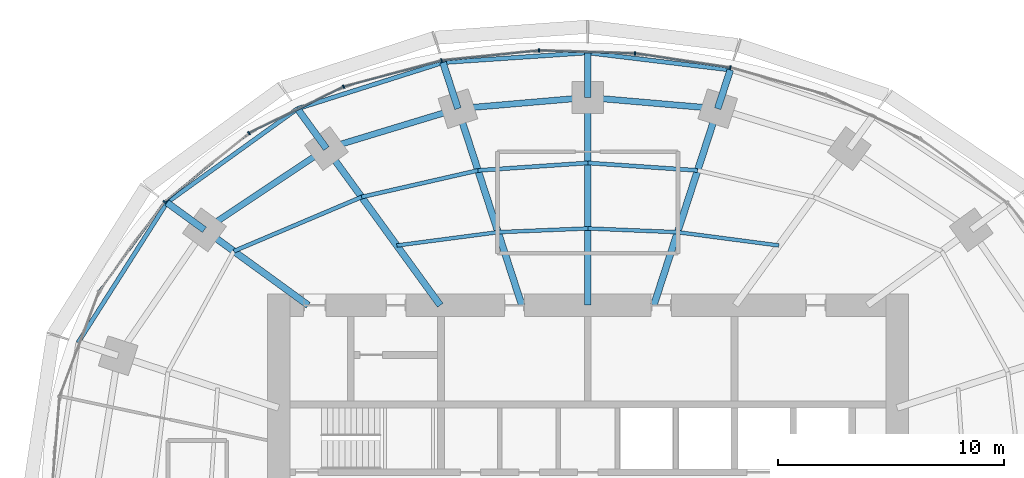
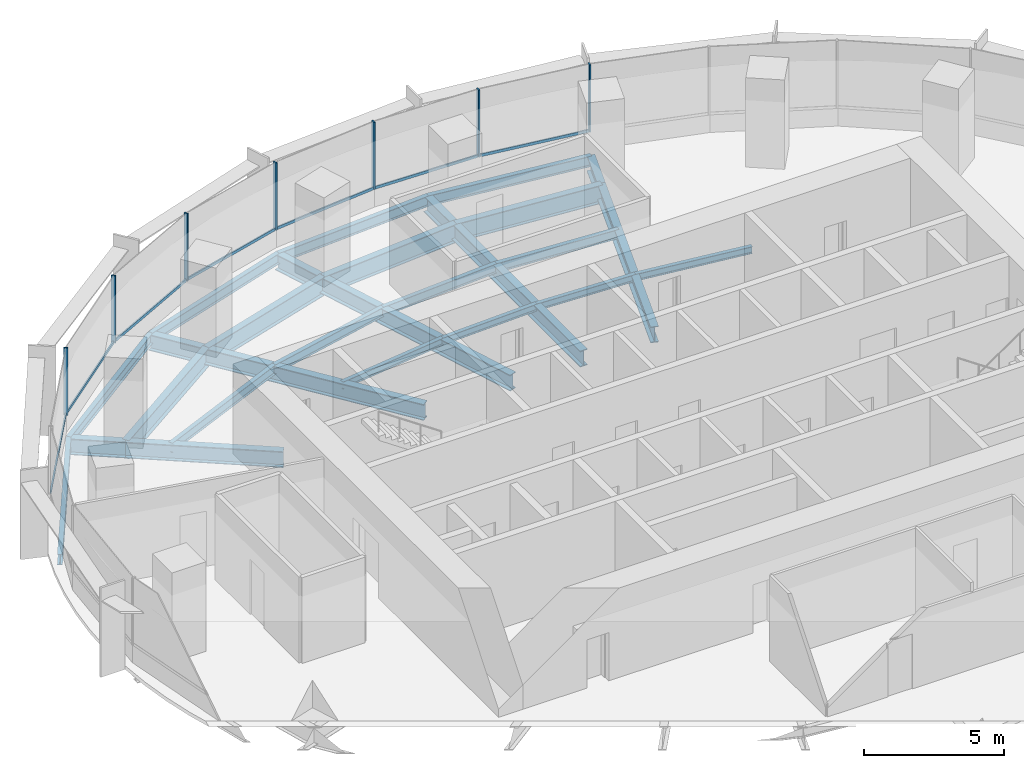
# One storey, part 7 of 14: 27 beams, 14 members, 2 elements without a shape of their own.
"""IFC4 building model written with IfcOpenShell, lengths in metres."""

from ifc_helpers import new_model, si_unit, direction, frame, origin, origin_2d, place, context, subcontext, project, spatial, rectangle, i_section, extrude, material, material_profile, profile_set, type_object, element, aggregate, save


model = new_model("IFC4")

# Units and contexts
model_context = context("Model", 3, precision=1e-05, world=origin(), true_north=direction((0.0, 1.0)))
body_context = subcontext(model_context, "Body", "Model", "MODEL_VIEW")
ifc_project = project(units=[si_unit("LENGTHUNIT", "METRE"), si_unit("AREAUNIT", "SQUARE_METRE"), si_unit("VOLUMEUNIT", "CUBIC_METRE"), si_unit("PLANEANGLEUNIT", "RADIAN"), si_unit("MASSUNIT", "GRAM", prefix="KILO")], contexts=[model_context])

# Site, building, storey
site_placement = place(None, origin())
site = spatial("IfcSite", under=ifc_project, at=site_placement, CompositionType="ELEMENT")
building_placement = place(site_placement, origin())
building = spatial("IfcBuilding", under=site, at=building_placement, Name="Marramba Exchange Tower", CompositionType="ELEMENT")
storey_placement = place(building_placement, frame((0.0, 0.0, 218.89990234375)))
storey = spatial("IfcBuildingStorey", under=building, at=storey_placement, Name="L53", CompositionType="ELEMENT", Elevation=218.89990234375)

# Beams
ifc_material_1 = material(Name="Steel AS/NZS 3679.2 grade 300", Category="steel")
ifc_material_profile_1 = material_profile(ifc_material_1, i_section(OverallWidth=0.300048828125, OverallDepth=0.699951171875, WebThickness=0.010009765625, FlangeThickness=0.031982421875, at=origin_2d()), Name="700WB173")
ifc_profile_set_1 = profile_set([ifc_material_profile_1], Name="Steel AS/NZS 3679.2 grade 300")
beam_type_1 = type_object("IfcBeamType", Name="Cantilever girder 700WB173", PredefinedType="BEAM", material=ifc_profile_set_1)
beam_1_placement = place(storey_placement, frame((5.75390625, 17.70849609375, -0.510009765625), z_axis=(0.308960771946, 0.951074782232, 0.0), x_axis=(-0.951074782232, 0.308960771946, 0.0)))
element("IfcBeam", 1, at=beam_1_placement, inside=storey, type_object=beam_type_1, Name="Cantilever girder L53 TC05", PredefinedType="BEAM", context=body_context, shape_type="SweptSolid", body=[
    extrude(i_section(OverallWidth=0.300048828125, OverallDepth=0.699951171875, WebThickness=0.010009765625, FlangeThickness=0.031982421875, at=origin_2d()), origin(), (0.0, 0.0, 1.0), 1.806396484375),
])
beam_2_placement = place(storey_placement, frame((0.0, 18.2041015625, -0.510009765625), z_axis=(0.0, 1.0, 0.0), x_axis=(-1.0, 0.0, 0.0)))
element("IfcBeam", 2, at=beam_2_placement, inside=storey, type_object=beam_type_1, Name="Cantilever girder L53 TC06", PredefinedType="BEAM", context=body_context, shape_type="SweptSolid", body=[
    extrude(i_section(OverallWidth=0.300048828125, OverallDepth=0.699951171875, WebThickness=0.010009765625, FlangeThickness=0.031982421875, at=origin_2d()), origin(), (0.0, 0.0, 1.0), 1.982177734375),
])
beam_3_placement = place(storey_placement, frame((-5.75390625, 17.70849609375, -0.510009765625), z_axis=(-0.308998798068, 0.951062428441, 0.0), x_axis=(-0.951062428441, -0.308998798068, 0.0)))
element("IfcBeam", 3, at=beam_3_placement, inside=storey, type_object=beam_type_1, Name="Cantilever girder L53 TC07", PredefinedType="BEAM", context=body_context, shape_type="SweptSolid", body=[
    extrude(i_section(OverallWidth=0.300048828125, OverallDepth=0.699951171875, WebThickness=0.010009765625, FlangeThickness=0.031982421875, at=origin_2d()), origin(), (0.0, 0.0, 1.0), 2.150634765625),
])
beam_4_placement = place(storey_placement, frame((-11.581298828125, 15.9404296875, -0.510009765625), z_axis=(-0.587832433352, 0.808982713226, 0.0), x_axis=(-0.808982713226, -0.587832433352, 0.0)))
element("IfcBeam", 4, at=beam_4_placement, inside=storey, type_object=beam_type_1, Name="Cantilever girder L53 TC08", PredefinedType="BEAM", context=body_context, shape_type="SweptSolid", body=[
    extrude(i_section(OverallWidth=0.300048828125, OverallDepth=0.699951171875, WebThickness=0.010009765625, FlangeThickness=0.031982421875, at=origin_2d()), origin(), (0.0, 0.0, 1.0), 2.1826171875),
])
beam_5_placement = place(storey_placement, frame((-16.98583984375, 12.3408203125, -0.510009765625), z_axis=(-0.808962446125, 0.587860324192, 0.0), x_axis=(-0.587860324192, -0.808962446125, 0.0)))
element("IfcBeam", 5, at=beam_5_placement, inside=storey, type_object=beam_type_1, Name="Cantilever girder L53 TC09", PredefinedType="BEAM", context=body_context, shape_type="SweptSolid", body=[
    extrude(i_section(OverallWidth=0.300048828125, OverallDepth=0.699951171875, WebThickness=0.010009765625, FlangeThickness=0.031982421875, at=origin_2d()), origin(), (0.0, 0.0, 1.0), 2.051513671875),
])
ifc_material_2 = material(Name="Steel AS/NZS 3679.1 grade 300", Category="steel")
ifc_material_profile_2 = material_profile(ifc_material_2, i_section(OverallWidth=0.166015625, OverallDepth=0.306884765625, WebThickness=0.006591796875, FlangeThickness=0.01171875, FilletRadius=0.011474609375, at=origin_2d()), Name="310UB46.2")
ifc_profile_set_2 = profile_set([ifc_material_profile_2], Name="Steel AS/NZS 3679.1 grade 300")
beam_type_2 = type_object("IfcBeamType", Name="Floor joist 310UB46.2", PredefinedType="JOIST", material=ifc_profile_set_2)
beam_6_placement = place(storey_placement, frame((8.4619140625, 11.646728515625, -0.3134765625), z_axis=(-0.991480538255, 0.130254912618, 0.0), x_axis=(-0.130254912618, -0.991480538255, 0.0)))
element("IfcBeam", 6, at=beam_6_placement, inside=storey, type_object=beam_type_2, Name="Joist L53 bay 04 row 1", PredefinedType="JOIST", context=body_context, shape_type="SweptSolid", body=[
    extrude(i_section(OverallWidth=0.166015625, OverallDepth=0.306884765625, WebThickness=0.006591796875, FlangeThickness=0.01171875, FilletRadius=0.011474609375, at=origin_2d()), origin(), (0.0, 0.0, 1.0), 4.524658203125),
])
for number, where, z_axis, x_axis, name in (
    (7, (3.975830078125, 12.236083984375, -0.3134765625), (-0.999137002892, 0.041536122257, 0.0), (-0.041536122257, -0.999137002892, 0.0), "Joist L53 bay 05 row 1"),
    (8, (0.0, 12.4013671875, -0.3134765625), (-0.999137002892, -0.041536122257, 0.0), (0.041536122257, -0.999137002892, 0.0), "Joist L53 bay 06 row 1"),
):
    element("IfcBeam", number, at=place(storey_placement, frame(where, z_axis=z_axis, x_axis=x_axis)), inside=storey, type_object=beam_type_2, Name=name, PredefinedType="JOIST", context=body_context, shape_type="SweptSolid", body=[
        extrude(i_section(OverallWidth=0.166015625, OverallDepth=0.306884765625, WebThickness=0.006591796875, FlangeThickness=0.01171875, FilletRadius=0.011474609375, at=origin_2d()), origin(), (0.0, 0.0, 1.0), 3.979248046875),
    ])
beam_7_placement = place(storey_placement, frame((-3.975830078125, 12.236083984375, -0.3134765625), z_axis=(-0.991480538255, -0.130254912618, 0.0), x_axis=(0.130254912618, -0.991480538255, 0.0)))
element("IfcBeam", 9, at=beam_7_placement, inside=storey, type_object=beam_type_2, Name="Joist L53 bay 07 row 1", PredefinedType="JOIST", context=body_context, shape_type="SweptSolid", body=[
    extrude(i_section(OverallWidth=0.166015625, OverallDepth=0.306884765625, WebThickness=0.006591796875, FlangeThickness=0.01171875, FilletRadius=0.011474609375, at=origin_2d()), origin(), (0.0, 0.0, 1.0), 4.524658203125),
])
ifc_material_profile_3 = material_profile(ifc_material_2, i_section(OverallWidth=0.177978515625, OverallDepth=0.406005859375, WebThickness=0.0078125, FlangeThickness=0.0126953125, FilletRadius=0.011474609375, at=origin_2d()), Name="410UB59.7")
ifc_profile_set_3 = profile_set([ifc_material_profile_3], Name="Steel AS/NZS 3679.1 grade 300")
beam_type_3 = type_object("IfcBeamType", Name="Floor joist 410UB59.7", PredefinedType="JOIST", material=ifc_profile_set_3)
for number, where, z_axis, x_axis, name in (
    (10, (4.86474609375, 14.972412109375, -0.36279296875), (-0.997702652202, 0.067745241816, 0.0), (-0.067745241816, -0.997702652202, 0.0), "Joist L53 bay 05 row 2"),
    (11, (0.0, 15.302734375, -0.36279296875), (-0.997702652202, -0.067745241816, 0.0), (0.067745241816, -0.997702652202, 0.0), "Joist L53 bay 06 row 2"),
):
    element("IfcBeam", number, at=place(storey_placement, frame(where, z_axis=z_axis, x_axis=x_axis)), inside=storey, type_object=beam_type_3, Name=name, PredefinedType="JOIST", context=body_context, shape_type="SweptSolid", body=[
        extrude(i_section(OverallWidth=0.177978515625, OverallDepth=0.406005859375, WebThickness=0.0078125, FlangeThickness=0.0126953125, FilletRadius=0.011474609375, at=origin_2d()), origin(), (0.0, 0.0, 1.0), 4.8759765625),
    ])
beam_8_placement = place(storey_placement, frame((-4.86474609375, 14.972412109375, -0.36279296875), z_axis=(-0.974859652292, -0.222819788916, 0.0), x_axis=(0.222819788916, -0.974859652292, 0.0)))
element("IfcBeam", 12, at=beam_8_placement, inside=storey, type_object=beam_type_3, Name="Joist L53 bay 07 row 2", PredefinedType="JOIST", context=body_context, shape_type="SweptSolid", body=[
    extrude(i_section(OverallWidth=0.177978515625, OverallDepth=0.406005859375, WebThickness=0.0078125, FlangeThickness=0.0126953125, FilletRadius=0.011474609375, at=origin_2d()), origin(), (0.0, 0.0, 1.0), 5.2900390625),
])
beam_9_placement = place(storey_placement, frame((-10.021728515625, 13.793701171875, -0.36279296875), z_axis=(-0.920674336375, -0.390331610738, 0.0), x_axis=(0.390331610738, -0.920674336375, 0.0)))
element("IfcBeam", 13, at=beam_9_placement, inside=storey, type_object=beam_type_3, Name="Joist L53 bay 08 row 2", PredefinedType="JOIST", context=body_context, shape_type="SweptSolid", body=[
    extrude(i_section(OverallWidth=0.177978515625, OverallDepth=0.406005859375, WebThickness=0.0078125, FlangeThickness=0.0126953125, FilletRadius=0.011474609375, at=origin_2d()), origin(), (0.0, 0.0, 1.0), 6.1484375),
])

# Curtain wall, members
ifc_material_3 = material(Name="Aluminium framing, bronze anodised", Category="aluminium")
curtain_wall_type = type_object("IfcCurtainWallType", Name="Office ribbon curtain wall", PredefinedType="USERDEFINED", material=ifc_material_3)
curtain_wall_1_placement = place(storey_placement, origin())
curtain_wall_1 = element("IfcCurtainWall", 14, at=curtain_wall_1_placement, inside=storey, type_object=curtain_wall_type, Name="Curtain wall CW4 L53 F06-F10", ObjectType="RIBBON CURTAIN WALL", PredefinedType="USERDEFINED")
ifc_material_4 = material(Name="Aluminium mullion, bronze anodised", Category="aluminium")
ifc_material_profile_4 = material_profile(ifc_material_4, rectangle(XDim=0.159912109375, YDim=0.06005859375, at=origin_2d()), Name="CW4 mullion 60x160")
ifc_profile_set_4 = profile_set([ifc_material_profile_4], Name="Aluminium mullion, bronze anodised")
member_type_1 = type_object("IfcMemberType", Name="Office ribbon curtain wall mullion", PredefinedType="MULLION", material=ifc_profile_set_4)
member_1_placement = place(storey_placement, frame((6.313232421875, 19.526123046875, 0.800048828125), z_axis=(0.0, 0.0, 1.0), x_axis=(-0.148794988635, -0.988868065698, 0.0)))
member_1 = element("IfcMember", 15, at=member_1_placement, type_object=member_type_1, Name="CW4 mullion 1", PredefinedType="MULLION", context=body_context, shape_type="SweptSolid", body=[
    extrude(rectangle(XDim=0.159912109375, YDim=0.06005859375, at=origin_2d()), origin(), (0.0, 0.0, 1.0), 2.93994140625),
])
member_2_placement = place(storey_placement, frame((2.088623046875, 20.158203125, 0.800048828125), z_axis=(0.0, 0.0, 1.0), x_axis=(-0.03039385249, -0.999538000143, 0.0)))
member_2 = element("IfcMember", 16, at=member_2_placement, type_object=member_type_1, Name="CW4 mullion 1", PredefinedType="MULLION", context=body_context, shape_type="SweptSolid", body=[
    extrude(rectangle(XDim=0.159912109375, YDim=0.06005859375, at=origin_2d()), origin(), (0.0, 0.0, 1.0), 2.93994140625),
])
member_3_placement = place(storey_placement, frame((-2.162109375, 20.28369140625, 0.800048828125), z_axis=(0.0, 0.0, 1.0), x_axis=(0.100862673507, -0.994900357369, 0.0)))
member_3 = element("IfcMember", 17, at=member_3_placement, type_object=member_type_1, Name="CW4 mullion 1", PredefinedType="MULLION", context=body_context, shape_type="SweptSolid", body=[
    extrude(rectangle(XDim=0.159912109375, YDim=0.06005859375, at=origin_2d()), origin(), (0.0, 0.0, 1.0), 2.93994140625),
])
member_4_placement = place(storey_placement, frame((-6.478271484375, 19.84130859375, 0.800048828125), z_axis=(0.0, 0.0, 1.0), x_axis=(0.257641223778, -0.966240653155, 0.0)))
member_4 = element("IfcMember", 18, at=member_4_placement, type_object=member_type_1, Name="CW4 mullion 1", PredefinedType="MULLION", context=body_context, shape_type="SweptSolid", body=[
    extrude(rectangle(XDim=0.159912109375, YDim=0.06005859375, at=origin_2d()), origin(), (0.0, 0.0, 1.0), 2.93994140625),
])

curtain_wall_2_placement = place(storey_placement, origin())
curtain_wall_2 = element("IfcCurtainWall", 19, at=curtain_wall_2_placement, inside=storey, type_object=curtain_wall_type, Name="Curtain wall CW4 L53 F11-F15", ObjectType="RIBBON CURTAIN WALL", PredefinedType="USERDEFINED")
member_5_placement = place(storey_placement, frame((-10.818359375, 18.677978515625, 0.800048828125), z_axis=(0.0, 0.0, 1.0), x_axis=(0.438972456661, -0.898500518805, 0.0)))
member_5 = element("IfcMember", 20, at=member_5_placement, type_object=member_type_1, Name="CW4 mullion 1", PredefinedType="MULLION", context=body_context, shape_type="SweptSolid", body=[
    extrude(rectangle(XDim=0.159912109375, YDim=0.06005859375, at=origin_2d()), origin(), (0.0, 0.0, 1.0), 2.93994140625),
])
member_6_placement = place(storey_placement, frame((-15.008056640625, 16.62353515625, 0.800048828125), z_axis=(0.0, 0.0, 1.0), x_axis=(0.630200830464, -0.776432169145, 0.0)))
member_6 = element("IfcMember", 21, at=member_6_placement, type_object=member_type_1, Name="CW4 mullion 1", PredefinedType="MULLION", context=body_context, shape_type="SweptSolid", body=[
    extrude(rectangle(XDim=0.159912109375, YDim=0.06005859375, at=origin_2d()), origin(), (0.0, 0.0, 1.0), 2.93994140625),
])
member_7_placement = place(storey_placement, frame((-18.744140625, 13.581298828125, 0.800048828125), z_axis=(0.0, 0.0, 1.0), x_axis=(0.805965197024, -0.591962922138, 0.0)))
member_7 = element("IfcMember", 22, at=member_7_placement, type_object=member_type_1, Name="CW4 mullion 1", PredefinedType="MULLION", context=body_context, shape_type="SweptSolid", body=[
    extrude(rectangle(XDim=0.159912109375, YDim=0.06005859375, at=origin_2d()), origin(), (0.0, 0.0, 1.0), 2.93994140625),
])

# Member
ifc_material_5 = material(Name="Aluminium transom, bronze anodised", Category="aluminium")
ifc_material_profile_5 = material_profile(ifc_material_5, rectangle(XDim=0.06005859375, YDim=0.1201171875, at=origin_2d()), Name="CW4 transom 60x120")
ifc_profile_set_5 = profile_set([ifc_material_profile_5], Name="Aluminium transom, bronze anodised")
member_type_2 = type_object("IfcMemberType", Name="Office ribbon curtain wall transom", PredefinedType="USERDEFINED", material=ifc_profile_set_5)
member_8_placement = place(storey_placement, frame((6.28369140625, 19.53076171875, 0.830078125), z_axis=(-0.988868222508, 0.148793946493, 0.0), x_axis=(-0.148793946493, -0.988868222508, 0.0)))
member_8 = element("IfcMember", 23, at=member_8_placement, type_object=member_type_2, Name="CW4 sill transom", ObjectType="TRANSOM", PredefinedType="USERDEFINED", context=body_context, shape_type="SweptSolid", body=[
    extrude(rectangle(XDim=0.06005859375, YDim=0.1201171875, at=origin_2d()), origin(), (0.0, 0.0, 1.0), 4.2119140625),
])

member_9_placement = place(storey_placement, frame((2.05859375, 20.1591796875, 0.830078125), z_axis=(-0.99953796835, 0.030394898024, 0.0), x_axis=(-0.030394898024, -0.99953796835, 0.0)))
member_9 = element("IfcMember", 24, at=member_9_placement, type_object=member_type_2, Name="CW4 sill transom", ObjectType="TRANSOM", PredefinedType="USERDEFINED", context=body_context, shape_type="SweptSolid", body=[
    extrude(rectangle(XDim=0.06005859375, YDim=0.1201171875, at=origin_2d()), origin(), (0.0, 0.0, 1.0), 4.19287109375),
])

member_10_placement = place(storey_placement, frame((-2.19189453125, 20.280517578125, 0.830078125), z_axis=(-0.99489954864, -0.100870650418, 0.0), x_axis=(0.100870650418, -0.99489954864, 0.0)))
member_10 = element("IfcMember", 25, at=member_10_placement, type_object=member_type_2, Name="CW4 sill transom", ObjectType="TRANSOM", PredefinedType="USERDEFINED", context=body_context, shape_type="SweptSolid", body=[
    extrude(rectangle(XDim=0.06005859375, YDim=0.1201171875, at=origin_2d()), origin(), (0.0, 0.0, 1.0), 4.279052734375),
])

member_11_placement = place(storey_placement, frame((-6.50732421875, 19.83349609375, 0.830078125), z_axis=(-0.966237681407, -0.25765236857, 0.0), x_axis=(0.25765236857, -0.966237681407, 0.0)))
member_11 = element("IfcMember", 26, at=member_11_placement, type_object=member_type_2, Name="CW4 sill transom", ObjectType="TRANSOM", PredefinedType="USERDEFINED", context=body_context, shape_type="SweptSolid", body=[
    extrude(rectangle(XDim=0.06005859375, YDim=0.1201171875, at=origin_2d()), origin(), (0.0, 0.0, 1.0), 4.43359375),
])

aggregate(curtain_wall_1, [member_1, member_8, member_2, member_9, member_3, member_10, member_4, member_11])

member_12_placement = place(storey_placement, frame((-10.84521484375, 18.664794921875, 0.830078125), z_axis=(-0.898501418486, -0.438970615165, 0.0), x_axis=(0.438970615165, -0.898501418486, 0.0)))
member_12 = element("IfcMember", 27, at=member_12_placement, type_object=member_type_2, Name="CW4 sill transom", ObjectType="TRANSOM", PredefinedType="USERDEFINED", context=body_context, shape_type="SweptSolid", body=[
    extrude(rectangle(XDim=0.06005859375, YDim=0.1201171875, at=origin_2d()), origin(), (0.0, 0.0, 1.0), 4.607177734375),
])

member_13_placement = place(storey_placement, frame((-15.031494140625, 16.6044921875, 0.830078125), z_axis=(-0.776424623019, -0.630210127473, 0.0), x_axis=(0.630210127473, -0.776424623019, 0.0)))
member_13 = element("IfcMember", 28, at=member_13_placement, type_object=member_type_2, Name="CW4 sill transom", ObjectType="TRANSOM", PredefinedType="USERDEFINED", context=body_context, shape_type="SweptSolid", body=[
    extrude(rectangle(XDim=0.06005859375, YDim=0.1201171875, at=origin_2d()), origin(), (0.0, 0.0, 1.0), 4.7587890625),
])

member_14_placement = place(storey_placement, frame((-18.761962890625, 13.55712890625, 0.830078125), z_axis=(-0.591957380483, -0.805969267213, 0.0), x_axis=(0.805969267213, -0.591957380483, 0.0)))
member_14 = element("IfcMember", 29, at=member_14_placement, type_object=member_type_2, Name="CW4 sill transom", ObjectType="TRANSOM", PredefinedType="USERDEFINED", context=body_context, shape_type="SweptSolid", body=[
    extrude(rectangle(XDim=0.06005859375, YDim=0.1201171875, at=origin_2d()), origin(), (0.0, 0.0, 1.0), 4.865478515625),
])

aggregate(curtain_wall_2, [member_5, member_12, member_6, member_13, member_7, member_14])

# Beams
ifc_material_profile_6 = material_profile(ifc_material_1, i_section(OverallWidth=0.300048828125, OverallDepth=0.699951171875, WebThickness=0.010009765625, FlangeThickness=0.031982421875, at=origin_2d()), Name="700WB173")
ifc_profile_set_6 = profile_set([ifc_material_profile_6], Name="Steel AS/NZS 3679.2 grade 300")
beam_type_4 = type_object("IfcBeamType", Name="Radial girder 700WB173", PredefinedType="BEAM", material=ifc_profile_set_6)
beam_10_placement = place(storey_placement, frame((2.92431640625, 9.0, -0.510009765625), z_axis=(0.309019754162, 0.951055619582, 0.0), x_axis=(-0.951055619582, 0.309019754162, 0.0)))
element("IfcBeam", 30, at=beam_10_placement, inside=storey, type_object=beam_type_4, Name="Radial girder L53 TC05", PredefinedType="BEAM", context=body_context, shape_type="SweptSolid", body=[
    extrude(i_section(OverallWidth=0.300048828125, OverallDepth=0.699951171875, WebThickness=0.010009765625, FlangeThickness=0.031982421875, at=origin_2d()), origin(), (0.0, 0.0, 1.0), 9.15673828125),
])
beam_11_placement = place(storey_placement, frame((0.0, 9.0, -0.510009765625), z_axis=(0.0, 1.0, 0.0), x_axis=(-1.0, 0.0, 0.0)))
element("IfcBeam", 31, at=beam_11_placement, inside=storey, type_object=beam_type_4, Name="Radial girder L53 TC06", PredefinedType="BEAM", context=body_context, shape_type="SweptSolid", body=[
    extrude(i_section(OverallWidth=0.300048828125, OverallDepth=0.699951171875, WebThickness=0.010009765625, FlangeThickness=0.031982421875, at=origin_2d()), origin(), (0.0, 0.0, 1.0), 9.2041015625),
])
beam_12_placement = place(storey_placement, frame((-2.92431640625, 9.0, -0.510009765625), z_axis=(-0.309019754162, 0.951055619582, 0.0), x_axis=(-0.951055619582, -0.309019754162, 0.0)))
element("IfcBeam", 32, at=beam_12_placement, inside=storey, type_object=beam_type_4, Name="Radial girder L53 TC07", PredefinedType="BEAM", context=body_context, shape_type="SweptSolid", body=[
    extrude(i_section(OverallWidth=0.300048828125, OverallDepth=0.699951171875, WebThickness=0.010009765625, FlangeThickness=0.031982421875, at=origin_2d()), origin(), (0.0, 0.0, 1.0), 9.15673828125),
])
beam_13_placement = place(storey_placement, frame((-6.538818359375, 9.0, -0.510009765625), z_axis=(-0.587782439969, 0.80901903764, 0.0), x_axis=(-0.80901903764, -0.587782439969, 0.0)))
element("IfcBeam", 33, at=beam_13_placement, inside=storey, type_object=beam_type_4, Name="Radial girder L53 TC08", PredefinedType="BEAM", context=body_context, shape_type="SweptSolid", body=[
    extrude(i_section(OverallWidth=0.300048828125, OverallDepth=0.699951171875, WebThickness=0.010009765625, FlangeThickness=0.031982421875, at=origin_2d()), origin(), (0.0, 0.0, 1.0), 8.578857421875),
])
beam_14_placement = place(storey_placement, frame((-12.387451171875, 9.0, -0.510009765625), z_axis=(-0.809025746925, 0.587773205252, 0.0), x_axis=(-0.587773205252, -0.809025746925, 0.0)))
element("IfcBeam", 34, at=beam_14_placement, inside=storey, type_object=beam_type_4, Name="Radial girder L53 TC09", PredefinedType="BEAM", context=body_context, shape_type="SweptSolid", body=[
    extrude(i_section(OverallWidth=0.300048828125, OverallDepth=0.699951171875, WebThickness=0.010009765625, FlangeThickness=0.031982421875, at=origin_2d()), origin(), (0.0, 0.0, 1.0), 5.683837890625),
])
ifc_material_profile_7 = material_profile(ifc_material_1, i_section(OverallWidth=0.27490234375, OverallDepth=0.800048828125, WebThickness=0.010009765625, FlangeThickness=0.02490234375, at=origin_2d()), Name="800WB168")
ifc_profile_set_7 = profile_set([ifc_material_profile_7], Name="Steel AS/NZS 3679.2 grade 300")
beam_type_5 = type_object("IfcBeamType", Name="Ring beam 800WB168", PredefinedType="SPANDREL", material=ifc_profile_set_7)
for number, where, z_axis, x_axis, name in (
    (35, (5.75390625, 17.70849609375, -0.559814453125), (-0.996311003275, 0.085815993578, 0.0), (-0.085815993578, -0.996311003275, 0.0), "Ring beam L53 TC05-TC06"),
    (36, (0.0, 18.2041015625, -0.559814453125), (-0.996311003275, -0.085815993578, 0.0), (0.085815993578, -0.996311003275, 0.0), "Ring beam L53 TC06-TC07"),
):
    element("IfcBeam", number, at=place(storey_placement, frame(where, z_axis=z_axis, x_axis=x_axis)), inside=storey, type_object=beam_type_5, Name=name, PredefinedType="SPANDREL", context=body_context, shape_type="SweptSolid", body=[
        extrude(i_section(OverallWidth=0.27490234375, OverallDepth=0.800048828125, WebThickness=0.010009765625, FlangeThickness=0.02490234375, at=origin_2d()), origin(), (0.0, 0.0, 1.0), 5.775146484375),
    ])
beam_15_placement = place(storey_placement, frame((-5.75390625, 17.70849609375, -0.559814453125), z_axis=(-0.956924542524, -0.290336735387, 0.0), x_axis=(0.290336735387, -0.956924542524, 0.0)))
element("IfcBeam", 37, at=beam_15_placement, inside=storey, type_object=beam_type_5, Name="Ring beam L53 TC07-TC08", PredefinedType="SPANDREL", context=body_context, shape_type="SweptSolid", body=[
    extrude(i_section(OverallWidth=0.27490234375, OverallDepth=0.800048828125, WebThickness=0.010009765625, FlangeThickness=0.02490234375, at=origin_2d()), origin(), (0.0, 0.0, 1.0), 6.089599609375),
])
beam_16_placement = place(storey_placement, frame((-11.581298828125, 15.9404296875, -0.559814453125), z_axis=(-0.832293151443, -0.554335737673, 0.0), x_axis=(0.554335737673, -0.832293151443, 0.0)))
element("IfcBeam", 38, at=beam_16_placement, inside=storey, type_object=beam_type_5, Name="Ring beam L53 TC08-TC09", PredefinedType="SPANDREL", context=body_context, shape_type="SweptSolid", body=[
    extrude(i_section(OverallWidth=0.27490234375, OverallDepth=0.800048828125, WebThickness=0.010009765625, FlangeThickness=0.02490234375, at=origin_2d()), origin(), (0.0, 0.0, 1.0), 6.49365234375),
])
ifc_material_profile_8 = material_profile(ifc_material_2, i_section(OverallWidth=0.19091796875, OverallDepth=0.4599609375, WebThickness=0.010009765625, FlangeThickness=0.01611328125, FilletRadius=0.011474609375, at=origin_2d()), Name="460UB82.1")
ifc_profile_set_8 = profile_set([ifc_material_profile_8], Name="Steel AS/NZS 3679.1 grade 300")
beam_type_6 = type_object("IfcBeamType", Name="Slab edge beam 460UB82.1", PredefinedType="SPANDREL", material=ifc_profile_set_8)
beam_17_placement = place(storey_placement, frame((6.31201171875, 19.426513671875, -0.389892578125), z_axis=(-0.992833525914, 0.119505605811, 0.0), x_axis=(-0.119505605811, -0.992833525914, 0.0)))
element("IfcBeam", 39, at=beam_17_placement, inside=storey, type_object=beam_type_6, Name="Slab edge beam L53 TC05-TC06", PredefinedType="SPANDREL", context=body_context, shape_type="SweptSolid", body=[
    extrude(i_section(OverallWidth=0.19091796875, OverallDepth=0.4599609375, WebThickness=0.010009765625, FlangeThickness=0.01611328125, FilletRadius=0.011474609375, at=origin_2d()), origin(), (0.0, 0.0, 1.0), 6.357666015625),
])
beam_18_placement = place(storey_placement, frame((0.0, 20.186279296875, -0.389892578125), z_axis=(-0.997738737775, -0.06721168903, 0.0), x_axis=(0.06721168903, -0.997738737775, 0.0)))
element("IfcBeam", 40, at=beam_18_placement, inside=storey, type_object=beam_type_6, Name="Slab edge beam L53 TC06-TC07", PredefinedType="SPANDREL", context=body_context, shape_type="SweptSolid", body=[
    extrude(i_section(OverallWidth=0.19091796875, OverallDepth=0.4599609375, WebThickness=0.010009765625, FlangeThickness=0.01611328125, FilletRadius=0.011474609375, at=origin_2d()), origin(), (0.0, 0.0, 1.0), 6.43310546875),
])
beam_19_placement = place(storey_placement, frame((-6.41845703125, 19.75390625, -0.389892578125), z_axis=(-0.953057484675, -0.302789416766, 0.0), x_axis=(0.302789416766, -0.953057484675, 0.0)))
element("IfcBeam", 41, at=beam_19_placement, inside=storey, type_object=beam_type_6, Name="Slab edge beam L53 TC07-TC08", PredefinedType="SPANDREL", context=body_context, shape_type="SweptSolid", body=[
    extrude(i_section(OverallWidth=0.19091796875, OverallDepth=0.4599609375, WebThickness=0.010009765625, FlangeThickness=0.01611328125, FilletRadius=0.011474609375, at=origin_2d()), origin(), (0.0, 0.0, 1.0), 6.76318359375),
])
beam_20_placement = place(storey_placement, frame((-12.8642578125, 17.7060546875, -0.389892578125), z_axis=(-0.811755352788, -0.583997643163, 0.0), x_axis=(0.583997643163, -0.811755352788, 0.0)))
element("IfcBeam", 42, at=beam_20_placement, inside=storey, type_object=beam_type_6, Name="Slab edge beam L53 TC08-TC09", PredefinedType="SPANDREL", context=body_context, shape_type="SweptSolid", body=[
    extrude(i_section(OverallWidth=0.19091796875, OverallDepth=0.4599609375, WebThickness=0.010009765625, FlangeThickness=0.01611328125, FilletRadius=0.011474609375, at=origin_2d()), origin(), (0.0, 0.0, 1.0), 7.121826171875),
])
beam_21_placement = place(storey_placement, frame((-18.6455078125, 13.546875, -0.389892578125), z_axis=(-0.535794396634, -0.844348485245, 0.0), x_axis=(0.844348485245, -0.535794396634, 0.0)))
element("IfcBeam", 43, at=beam_21_placement, inside=storey, type_object=beam_type_6, Name="Slab edge beam L53 TC09-TC10", PredefinedType="SPANDREL", context=body_context, shape_type="SweptSolid", body=[
    extrude(i_section(OverallWidth=0.19091796875, OverallDepth=0.4599609375, WebThickness=0.010009765625, FlangeThickness=0.01611328125, FilletRadius=0.011474609375, at=origin_2d()), origin(), (0.0, 0.0, 1.0), 7.35302734375),
])

save(model, "model.ifc")
